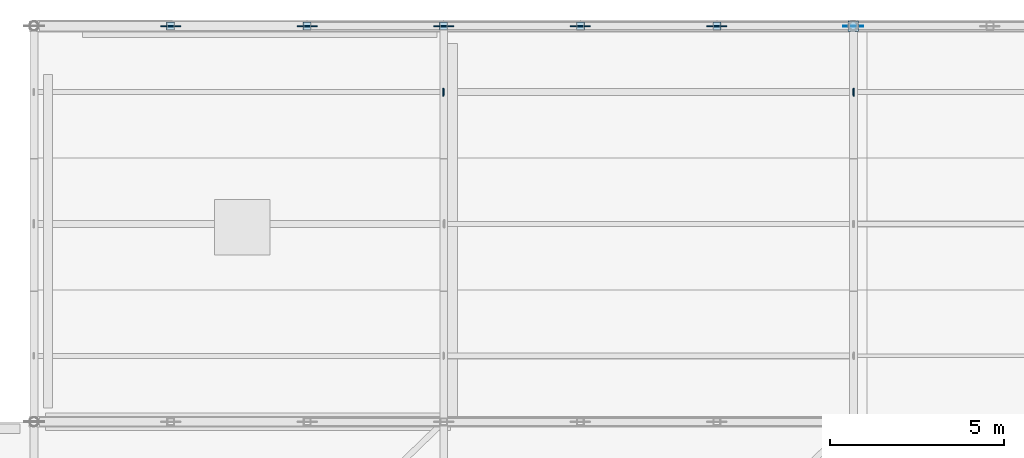
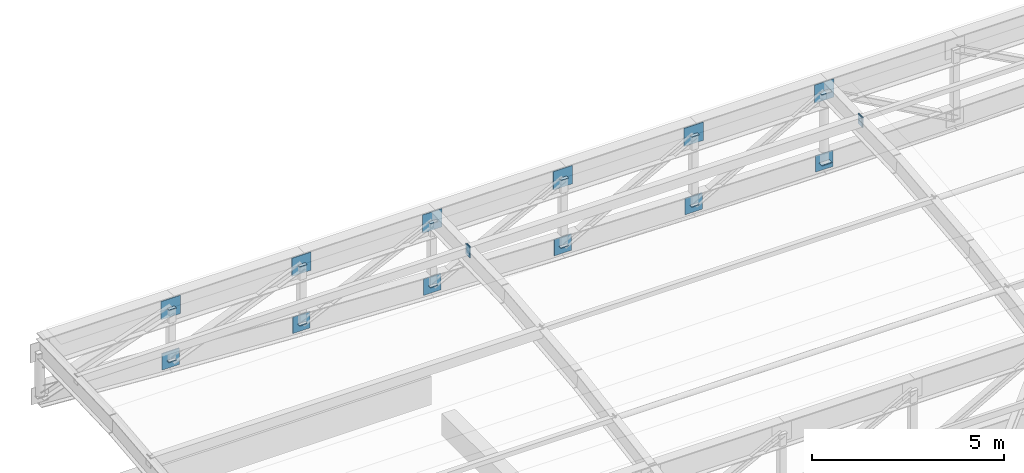
# One storey, part 60 of 65: 28 plates.
"""IFC4 building model written with IfcOpenShell, lengths in metres."""

import ifcopenshell
import ifcopenshell.guid

model = None  # the IFC model being written
_history = None  # IfcOwnerHistory: only IFC2X3 demands one
_inside = {}  # id of a spatial element -> (the spatial element, [elements in it])
_under = {}  # id of a project, library or spatial element -> (it, [spatial elements below it])
_declared = {}  # id of a project -> (the project, [libraries it declares])
_typed = {}  # id of a type object -> (the type object, [elements of that type])
_made_of = {}  # id of a material, layer set ... -> (it, [elements and type objects made of it])


def new_model(schema):
    """Start an empty IFC model of exactly this schema.

    Asked for "IFC4X3", IfcOpenShell would pick the latest addendum, in which some entities
    have other attributes; the version numbers below select the first issue.
    IFC2X3 requires an IfcOwnerHistory on every rooted entity: one is made here for all.
    """
    global model, _history
    if schema == "IFC4X3":
        model = ifcopenshell.file(schema_version=(4, 3, 0, 0))
    else:
        model = ifcopenshell.file(schema=schema)
    _inside.clear()
    _under.clear()
    _declared.clear()
    _typed.clear()
    _made_of.clear()
    _history = None
    if model.schema == "IFC2X3":
        org = make("IfcOrganization", Name="unknown")
        user = make(
            "IfcPersonAndOrganization",
            ThePerson=make("IfcPerson", FamilyName="unknown"),
            TheOrganization=org,
        )
        app = make(
            "IfcApplication",
            ApplicationDeveloper=org,
            Version="unknown",
            ApplicationFullName="unknown",
            ApplicationIdentifier="unknown",
        )
        _history = make(
            "IfcOwnerHistory",
            OwningUser=user,
            OwningApplication=app,
            ChangeAction="ADDED",
            CreationDate=0,
        )
    return model


def make(cls, **values):
    """One entity of the class cls with the attributes given. An attribute that is None is left unset."""
    return model.create_entity(
        cls, **{name: value for name, value in values.items() if value is not None}
    )


def rooted(cls, **values):
    """An entity with a GlobalId (a new one), such as an element, a storey or a relation."""
    return make(cls, GlobalId=ifcopenshell.guid.new(), OwnerHistory=_history, **values)


def si_unit(unit_type, name, prefix=None):
    """IfcSIUnit, for example si_unit("LENGTHUNIT", "METRE", prefix="MILLI")."""
    return make("IfcSIUnit", UnitType=unit_type, Prefix=prefix, Name=name)


def assignment(units):
    """IfcUnitAssignment: the units of a project."""
    return None if units is None else make("IfcUnitAssignment", Units=units)


def point(xyz):
    """IfcCartesianPoint."""
    return None if xyz is None else make("IfcCartesianPoint", Coordinates=xyz)


def direction(xyz):
    """IfcDirection."""
    return None if xyz is None else make("IfcDirection", DirectionRatios=xyz)


def frame(location, z_axis=None, x_axis=None):
    """IfcAxis2Placement3D, a coordinate frame: its origin and axes. An axis left out is left unset."""
    return make(
        "IfcAxis2Placement3D",
        Location=point(location),
        Axis=direction(z_axis),
        RefDirection=direction(x_axis),
    )


def frame_2d(location, x_axis=None):
    """IfcAxis2Placement2D, a coordinate frame in the plane: its origin and x axis."""
    return make(
        "IfcAxis2Placement2D", Location=point(location), RefDirection=direction(x_axis)
    )


def origin():
    """The frame at (0, 0, 0) with its axes left unset."""
    return frame((0.0, 0.0, 0.0))


def origin_2d():
    """The frame at (0, 0) in the plane with its x axis left unset."""
    return frame_2d((0.0, 0.0))


def place(relative_to, where):
    """IfcLocalPlacement: puts the frame where relative to a parent placement (None: the world)."""
    return make(
        "IfcLocalPlacement", PlacementRelTo=relative_to, RelativePlacement=where
    )


def context(
    kind, dimensions, precision=None, world=None, true_north=None, identifier=None
):
    """IfcGeometricRepresentationContext, for example the 3D "Model" context."""
    return make(
        "IfcGeometricRepresentationContext",
        ContextIdentifier=identifier,
        ContextType=kind,
        CoordinateSpaceDimension=dimensions,
        Precision=precision,
        WorldCoordinateSystem=world,
        TrueNorth=true_north,
    )


def subcontext(parent, identifier, kind, view, scale=None):
    """IfcGeometricRepresentationSubContext, for example "Body" below "Model"."""
    return make(
        "IfcGeometricRepresentationSubContext",
        ContextIdentifier=identifier,
        ContextType=kind,
        ParentContext=parent,
        TargetScale=scale,
        TargetView=view,
    )


def project(units=None, contexts=None):
    """IfcProject with its units and contexts."""
    return rooted(
        "IfcProject",
        Name="project",
        RepresentationContexts=contexts,
        UnitsInContext=assignment(units),
    )


def spatial(cls, under=None, at=None, **own):
    """A site, building, storey or space (cls), placed at a placement, below another one or the project."""
    s = rooted(cls, ObjectPlacement=at, **own)
    if under is not None:
        _under.setdefault(under.id(), (under, []))[1].append(s)
    return s


def profile(cls, at=None, kind="AREA", **sizes):
    """A parametric profile (cls). Its sizes go by their IFC names, for example OverallWidth=200.0."""
    return make(cls, ProfileType=kind, Position=at, **sizes)


def rectangle(**sizes):
    """IfcRectangleProfileDef."""
    return profile("IfcRectangleProfileDef", **sizes)


def extrude(swept, where, along, depth):
    """IfcExtrudedAreaSolid: the profile swept, set in the frame where, extruded along a direction by depth."""
    return make(
        "IfcExtrudedAreaSolid",
        SweptArea=swept,
        Position=where,
        ExtrudedDirection=direction(along),
        Depth=depth,
    )


def shape(context_of_items, identifier, shape_type, items):
    """IfcShapeRepresentation: the items that make up one representation, for example the "Body"."""
    return make(
        "IfcShapeRepresentation",
        ContextOfItems=context_of_items,
        RepresentationIdentifier=identifier,
        RepresentationType=shape_type,
        Items=items,
    )


def material(Name=None, Category=None):
    """IfcMaterial."""
    return make("IfcMaterial", Name=Name, Category=Category)


def layer(
    of_material, thickness, ventilated=None, Name=None, Category=None, Priority=None
):
    """IfcMaterialLayer: one layer of a wall or slab, of a material (None: an air gap)."""
    return make(
        "IfcMaterialLayer",
        Material=of_material,
        LayerThickness=thickness,
        IsVentilated=ventilated,
        Name=Name,
        Category=Category,
        Priority=Priority,
    )


def layer_set(layers, Name=None):
    """IfcMaterialLayerSet."""
    return make("IfcMaterialLayerSet", MaterialLayers=layers, LayerSetName=Name)


def made_of(thing, what):
    """Note that an element or type object is made of a material, layer set ...; save() writes the relation."""
    if what is not None:
        _made_of.setdefault(what.id(), (what, []))[1].append(thing)
    return thing


def type_object(cls, material=None, **own):
    """A type object (cls), such as IfcWallType, which elements share."""
    return made_of(rooted(cls, **own), material)


def element(
    cls,
    number,
    at=None,
    inside=None,
    cuts=None,
    type_object=None,
    material=None,
    context=None,
    identifier="Body",
    shape_type=None,
    held_by="IfcProductDefinitionShape",
    body=None,
    shapes=None,
    **own,
):
    """One element of the class cls, such as IfcWall. Its Tag is "e" and its number.

    at: its placement. inside: the storey or other place that contains it. cuts: it is an
    opening in that element (IfcRelVoidsElement). A single representation is given by context,
    identifier, shape_type and body (its items); several are given by shapes. held_by: the class
    of the entity that holds the representations. save() writes the other relations.
    """
    e = rooted(cls, Tag="e%d" % number, ObjectPlacement=at, **own)
    if body is not None:
        shapes = [shape(context, identifier, shape_type, body)]
    if shapes is not None:
        e.Representation = make(held_by, Representations=shapes)
    if inside is not None:
        _inside.setdefault(inside.id(), (inside, []))[1].append(e)
    if cuts is not None:
        rooted(
            "IfcRelVoidsElement", RelatingBuildingElement=cuts, RelatedOpeningElement=e
        )
    if type_object is not None:
        _typed.setdefault(type_object.id(), (type_object, []))[1].append(e)
    return made_of(e, material)


def aggregate(whole, parts):
    """IfcRelAggregates: a whole, such as a stair, and the parts it consists of."""
    return rooted("IfcRelAggregates", RelatingObject=whole, RelatedObjects=parts)


def save(model, path):
    """Write the relations noted so far, then the file.

    IfcRelAggregates (storeys below a building ...), IfcRelContainedInSpatialStructure (elements
    in a storey), IfcRelDefinesByType, IfcRelAssociatesMaterial and IfcRelDeclares: one each for
    every whole, place, type object, material and project.
    """
    for whole, parts in _under.values():
        aggregate(whole, parts)
    for where, things in _inside.values():
        rooted(
            "IfcRelContainedInSpatialStructure",
            RelatedElements=things,
            RelatingStructure=where,
        )
    for kind, things in _typed.values():
        rooted("IfcRelDefinesByType", RelatedObjects=things, RelatingType=kind)
    for what, things in _made_of.values():
        rooted("IfcRelAssociatesMaterial", RelatedObjects=things, RelatingMaterial=what)
    for by, libraries in _declared.values():
        rooted("IfcRelDeclares", RelatingContext=by, RelatedDefinitions=libraries)
    model.write(path)


model = new_model("IFC4")

# Units and contexts
model_context = context("Model", 3, precision=1e-05, world=origin(), true_north=direction((0.0, 1.0)))
body_context = subcontext(model_context, "Body", "Model", "MODEL_VIEW")
ifc_project = project(units=[si_unit("LENGTHUNIT", "METRE"), si_unit("AREAUNIT", "SQUARE_METRE"), si_unit("VOLUMEUNIT", "CUBIC_METRE"), si_unit("PLANEANGLEUNIT", "RADIAN"), si_unit("MASSUNIT", "GRAM", prefix="KILO"), si_unit("POWERUNIT", "WATT"), si_unit("THERMODYNAMICTEMPERATUREUNIT", "KELVIN")], contexts=[model_context])

# Site, building, storey
site_placement = place(None, origin())
site = spatial("IfcSite", under=ifc_project, at=site_placement, CompositionType="ELEMENT")
building_placement = place(site_placement, origin())
building = spatial("IfcBuilding", under=site, at=building_placement, Name="Kelmbourne Parkland Aquatics Centre", CompositionType="ELEMENT")
storey_placement = place(building_placement, frame((0.0, 0.0, 27.0)))
storey = spatial("IfcBuildingStorey", under=building, at=storey_placement, Name="RF", CompositionType="ELEMENT", Elevation=27.0)

# Plates
ifc_material = material(Name="Welded plate steel AS/NZS 3678 Grade 350", Category="steel")
ifc_layer_1 = layer(ifc_material, 0.02001953125)
ifc_layer_set_1 = layer_set([ifc_layer_1], Name="Welded plate steel AS/NZS 3678 Grade 350")
plate_type_1 = type_object("IfcPlateType", Name="PL-CAP-20", PredefinedType="USERDEFINED", material=ifc_layer_set_1)
for number, where, z_axis, x_axis, name in (
    (1, (131.933349609375, 114.800048828125, -0.478759765625), (0.0, 0.0, 1.0), (1.0, 0.0, 0.0), "Hollow end cap plate CAP-0277"),
    (2, (131.933349609375, 114.800048828125, 1.178955078125), (0.0, 0.0, 1.0), (1.0, 0.0, 0.0), "Hollow end cap plate CAP-0278"),
    (3, (135.86669921875, 114.800048828125, -0.691162109375), (0.0, 0.0, 1.0), (1.0, 0.0, 0.0), "Hollow end cap plate CAP-0279"),
    (4, (135.86669921875, 114.800048828125, 1.178955078125), (0.0, 0.0, 1.0), (1.0, 0.0, 0.0), "Hollow end cap plate CAP-0280"),
    (5, (139.800048828125, 114.800048828125, -0.8564453125), (0.0, 0.0, 1.0), (1.0, 0.0, 0.0), "Hollow end cap plate CAP-0281"),
    (6, (139.800048828125, 114.800048828125, 1.178955078125), (0.0, 0.0, 1.0), (1.0, 0.0, 0.0), "Hollow end cap plate CAP-0282"),
    (7, (143.7333984375, 114.800048828125, -0.974609375), (0.0, 0.0, 1.0), (1.0, 0.0, 0.0), "Hollow end cap plate CAP-0283"),
    (8, (143.7333984375, 114.800048828125, 1.178955078125), (0.0, 0.0, 1.0), (1.0, 0.0, 0.0), "Hollow end cap plate CAP-0284"),
    (9, (147.666748046875, 114.800048828125, -1.04541015625), (0.0, 0.0, 1.0), (1.0, 0.0, 0.0), "Hollow end cap plate CAP-0285"),
    (10, (147.666748046875, 114.800048828125, 1.178955078125), (0.0, 0.0, 1.0), (1.0, 0.0, 0.0), "Hollow end cap plate CAP-0286"),
):
    element("IfcPlate", number, at=place(storey_placement, frame(where, z_axis=z_axis, x_axis=x_axis)), inside=storey, type_object=plate_type_1, Name=name, ObjectType="END CAP PLATE", PredefinedType="USERDEFINED", context=body_context, shape_type="SweptSolid", body=[
        extrude(rectangle(XDim=0.22998046875, YDim=0.22998046875, at=origin_2d()), origin(), (0.0, 0.0, 1.0), 0.02001953125),
    ])
plate_1_placement = place(storey_placement, frame((139.80908203125, 112.89990234375, 1.27685546875), z_axis=(0.0, 0.0, 1.0), x_axis=(1.0, 0.0, 0.0)))
element("IfcPlate", 11, at=plate_1_placement, inside=storey, type_object=plate_type_1, Name="Hollow end cap plate CAP-0534", ObjectType="END CAP PLATE", PredefinedType="USERDEFINED", context=body_context, shape_type="SweptSolid", body=[
    extrude(rectangle(XDim=0.02001953125, YDim=0.179931640625, at=origin_2d()), origin(), (0.0, 0.0, 1.0), 0.280029296875),
])
plate_2_placement = place(storey_placement, frame((151.591064453125, 112.89990234375, 1.376953125), z_axis=(0.0, 0.0, 1.0), x_axis=(-1.0, 0.0, 0.0)))
element("IfcPlate", 12, at=plate_2_placement, inside=storey, type_object=plate_type_1, Name="Hollow end cap plate CAP-0537", ObjectType="END CAP PLATE", PredefinedType="USERDEFINED", context=body_context, shape_type="SweptSolid", body=[
    extrude(rectangle(XDim=0.02001953125, YDim=0.179931640625, at=origin_2d()), origin(), (0.0, 0.0, 1.0), 0.179931640625),
])
ifc_layer_2 = layer(ifc_material, 0.02392578125)
ifc_layer_set_2 = layer_set([ifc_layer_2], Name="Welded plate steel AS/NZS 3678 Grade 350")
plate_type_2 = type_object("IfcPlateType", Name="PL-CAP-24", PredefinedType="USERDEFINED", material=ifc_layer_set_2)
for number, where, z_axis, x_axis, name in (
    (13, (151.60009765625, 114.800048828125, -1.072998046875), (0.0, 0.0, 1.0), (1.0, 0.0, 0.0), "Hollow end cap plate CAP-0287"),
    (14, (151.60009765625, 114.800048828125, 1.178955078125), (0.0, 0.0, 1.0), (1.0, 0.0, 0.0), "Hollow end cap plate CAP-0288"),
):
    element("IfcPlate", number, at=place(storey_placement, frame(where, z_axis=z_axis, x_axis=x_axis)), inside=storey, type_object=plate_type_2, Name=name, ObjectType="END CAP PLATE", PredefinedType="USERDEFINED", context=body_context, shape_type="SweptSolid", body=[
        extrude(rectangle(XDim=0.302978515625, YDim=0.302978515625, at=origin_2d()), origin(), (0.0, 0.0, 1.0), 0.02392578125),
    ])
for number, where, z_axis, x_axis, name in (
    (15, (139.7890625, 112.89990234375, 1.226806640625), (0.0, 0.0, 1.0), (-1.0, 0.0, 0.0), "Hollow end cap plate CAP-0535"),
    (16, (151.611083984375, 112.89990234375, 1.226806640625), (0.0, 0.0, 1.0), (1.0, 0.0, 0.0), "Hollow end cap plate CAP-0536"),
):
    element("IfcPlate", number, at=place(storey_placement, frame(where, z_axis=z_axis, x_axis=x_axis)), inside=storey, type_object=plate_type_2, Name=name, ObjectType="END CAP PLATE", PredefinedType="USERDEFINED", context=body_context, shape_type="SweptSolid", body=[
        extrude(rectangle(XDim=0.02392578125, YDim=0.22998046875, at=origin_2d()), origin(), (0.0, 0.0, 1.0), 0.330078125),
    ])
ifc_layer_3 = layer(ifc_material, 0.02490234375)
ifc_layer_set_3 = layer_set([ifc_layer_3], Name="Welded plate steel AS/NZS 3678 Grade 350")
plate_type_3 = type_object("IfcPlateType", Name="PL-GUS-2", PredefinedType="USERDEFINED", material=ifc_layer_set_3)
plate_3_placement = place(storey_placement, frame((151.60009765625, 114.800048828125, 0.889892578125), z_axis=(0.0, 0.0, 1.0), x_axis=(1.0, 0.0, 0.0)))
element("IfcPlate", 17, at=plate_3_placement, inside=storey, type_object=plate_type_3, Name="Truss top node TN-2 gusset plate R10-N6", ObjectType="GUSSET PLATE", PredefinedType="USERDEFINED", context=body_context, shape_type="SweptSolid", body=[
    extrude(rectangle(XDim=0.580078125, YDim=0.02490234375, at=origin_2d()), origin(), (0.0, 0.0, 1.0), 0.580078125),
])
plate_4_placement = place(storey_placement, frame((151.60009765625, 114.800048828125, -1.31005859375), z_axis=(0.0, 0.0, 1.0), x_axis=(1.0, 0.0, 0.0)))
element("IfcPlate", 18, at=plate_4_placement, inside=storey, type_object=plate_type_3, Name="Truss bottom node TN-2 gusset plate R10-B6", ObjectType="GUSSET PLATE", PredefinedType="USERDEFINED", context=body_context, shape_type="SweptSolid", body=[
    extrude(rectangle(XDim=0.52001953125, YDim=0.02490234375, at=origin_2d()), origin(), (0.0, 0.0, 1.0), 0.52001953125),
])
ifc_layer_4 = layer(ifc_material, 0.031982421875)
ifc_layer_set_4 = layer_set([ifc_layer_4], Name="Welded plate steel AS/NZS 3678 Grade 350")
plate_type_4 = type_object("IfcPlateType", Name="PL-GUS-3", PredefinedType="USERDEFINED", material=ifc_layer_set_4)
plate_5_placement = place(storey_placement, frame((131.933349609375, 114.800048828125, 0.889892578125), z_axis=(0.0, 0.0, 1.0), x_axis=(1.0, 0.0, 0.0)))
element("IfcPlate", 19, at=plate_5_placement, inside=storey, type_object=plate_type_4, Name="Truss top node TN-3 gusset plate R10-N1", ObjectType="GUSSET PLATE", PredefinedType="USERDEFINED", context=body_context, shape_type="SweptSolid", body=[
    extrude(rectangle(XDim=0.580078125, YDim=0.031982421875, at=origin_2d()), origin(), (0.0, 0.0, 1.0), 0.580078125),
])
plate_6_placement = place(storey_placement, frame((131.933349609375, 114.800048828125, -0.7197265625), z_axis=(0.0, 0.0, 1.0), x_axis=(1.0, 0.0, 0.0)))
element("IfcPlate", 20, at=plate_6_placement, inside=storey, type_object=plate_type_4, Name="Truss bottom node TN-3 gusset plate R10-B1", ObjectType="GUSSET PLATE", PredefinedType="USERDEFINED", context=body_context, shape_type="SweptSolid", body=[
    extrude(rectangle(XDim=0.52001953125, YDim=0.031982421875, at=origin_2d()), origin(), (0.0, 0.0, 1.0), 0.52001953125),
])
plate_7_placement = place(storey_placement, frame((135.86669921875, 114.800048828125, 0.889892578125), z_axis=(0.0, 0.0, 1.0), x_axis=(1.0, 0.0, 0.0)))
element("IfcPlate", 21, at=plate_7_placement, inside=storey, type_object=plate_type_4, Name="Truss top node TN-3 gusset plate R10-N2", ObjectType="GUSSET PLATE", PredefinedType="USERDEFINED", context=body_context, shape_type="SweptSolid", body=[
    extrude(rectangle(XDim=0.580078125, YDim=0.031982421875, at=origin_2d()), origin(), (0.0, 0.0, 1.0), 0.580078125),
])
plate_8_placement = place(storey_placement, frame((135.86669921875, 114.800048828125, -0.93212890625), z_axis=(0.0, 0.0, 1.0), x_axis=(1.0, 0.0, 0.0)))
element("IfcPlate", 22, at=plate_8_placement, inside=storey, type_object=plate_type_4, Name="Truss bottom node TN-3 gusset plate R10-B2", ObjectType="GUSSET PLATE", PredefinedType="USERDEFINED", context=body_context, shape_type="SweptSolid", body=[
    extrude(rectangle(XDim=0.52001953125, YDim=0.031982421875, at=origin_2d()), origin(), (0.0, 0.0, 1.0), 0.52001953125),
])
plate_9_placement = place(storey_placement, frame((139.800048828125, 114.800048828125, 0.889892578125), z_axis=(0.0, 0.0, 1.0), x_axis=(1.0, 0.0, 0.0)))
element("IfcPlate", 23, at=plate_9_placement, inside=storey, type_object=plate_type_4, Name="Truss top node TN-3 gusset plate R10-N3", ObjectType="GUSSET PLATE", PredefinedType="USERDEFINED", context=body_context, shape_type="SweptSolid", body=[
    extrude(rectangle(XDim=0.580078125, YDim=0.031982421875, at=origin_2d()), origin(), (0.0, 0.0, 1.0), 0.580078125),
])
plate_10_placement = place(storey_placement, frame((139.800048828125, 114.800048828125, -1.097412109375), z_axis=(0.0, 0.0, 1.0), x_axis=(1.0, 0.0, 0.0)))
element("IfcPlate", 24, at=plate_10_placement, inside=storey, type_object=plate_type_4, Name="Truss bottom node TN-3 gusset plate R10-B3", ObjectType="GUSSET PLATE", PredefinedType="USERDEFINED", context=body_context, shape_type="SweptSolid", body=[
    extrude(rectangle(XDim=0.52001953125, YDim=0.031982421875, at=origin_2d()), origin(), (0.0, 0.0, 1.0), 0.52001953125),
])
plate_11_placement = place(storey_placement, frame((143.7333984375, 114.800048828125, 0.889892578125), z_axis=(0.0, 0.0, 1.0), x_axis=(1.0, 0.0, 0.0)))
element("IfcPlate", 25, at=plate_11_placement, inside=storey, type_object=plate_type_4, Name="Truss top node TN-3 gusset plate R10-N4", ObjectType="GUSSET PLATE", PredefinedType="USERDEFINED", context=body_context, shape_type="SweptSolid", body=[
    extrude(rectangle(XDim=0.580078125, YDim=0.031982421875, at=origin_2d()), origin(), (0.0, 0.0, 1.0), 0.580078125),
])
plate_12_placement = place(storey_placement, frame((143.7333984375, 114.800048828125, -1.215576171875), z_axis=(0.0, 0.0, 1.0), x_axis=(1.0, 0.0, 0.0)))
element("IfcPlate", 26, at=plate_12_placement, inside=storey, type_object=plate_type_4, Name="Truss bottom node TN-3 gusset plate R10-B4", ObjectType="GUSSET PLATE", PredefinedType="USERDEFINED", context=body_context, shape_type="SweptSolid", body=[
    extrude(rectangle(XDim=0.52001953125, YDim=0.031982421875, at=origin_2d()), origin(), (0.0, 0.0, 1.0), 0.52001953125),
])
plate_13_placement = place(storey_placement, frame((147.666748046875, 114.800048828125, 0.889892578125), z_axis=(0.0, 0.0, 1.0), x_axis=(1.0, 0.0, 0.0)))
element("IfcPlate", 27, at=plate_13_placement, inside=storey, type_object=plate_type_4, Name="Truss top node TN-3 gusset plate R10-N5", ObjectType="GUSSET PLATE", PredefinedType="USERDEFINED", context=body_context, shape_type="SweptSolid", body=[
    extrude(rectangle(XDim=0.580078125, YDim=0.031982421875, at=origin_2d()), origin(), (0.0, 0.0, 1.0), 0.580078125),
])
plate_14_placement = place(storey_placement, frame((147.666748046875, 114.800048828125, -1.286376953125), z_axis=(0.0, 0.0, 1.0), x_axis=(1.0, 0.0, 0.0)))
element("IfcPlate", 28, at=plate_14_placement, inside=storey, type_object=plate_type_4, Name="Truss bottom node TN-3 gusset plate R10-B5", ObjectType="GUSSET PLATE", PredefinedType="USERDEFINED", context=body_context, shape_type="SweptSolid", body=[
    extrude(rectangle(XDim=0.52001953125, YDim=0.031982421875, at=origin_2d()), origin(), (0.0, 0.0, 1.0), 0.52001953125),
])

save(model, "model.ifc")
